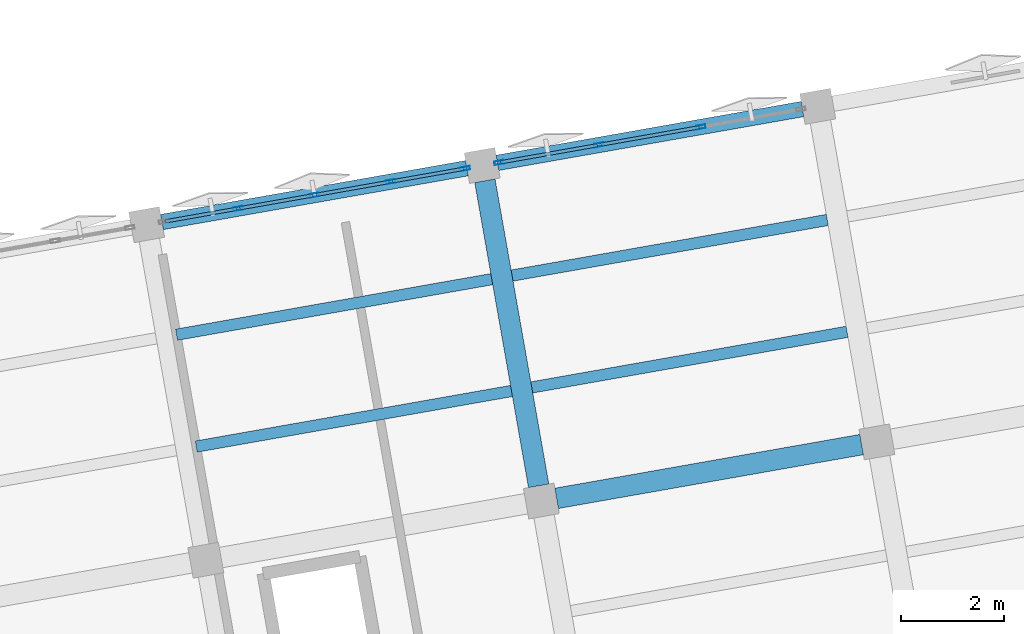
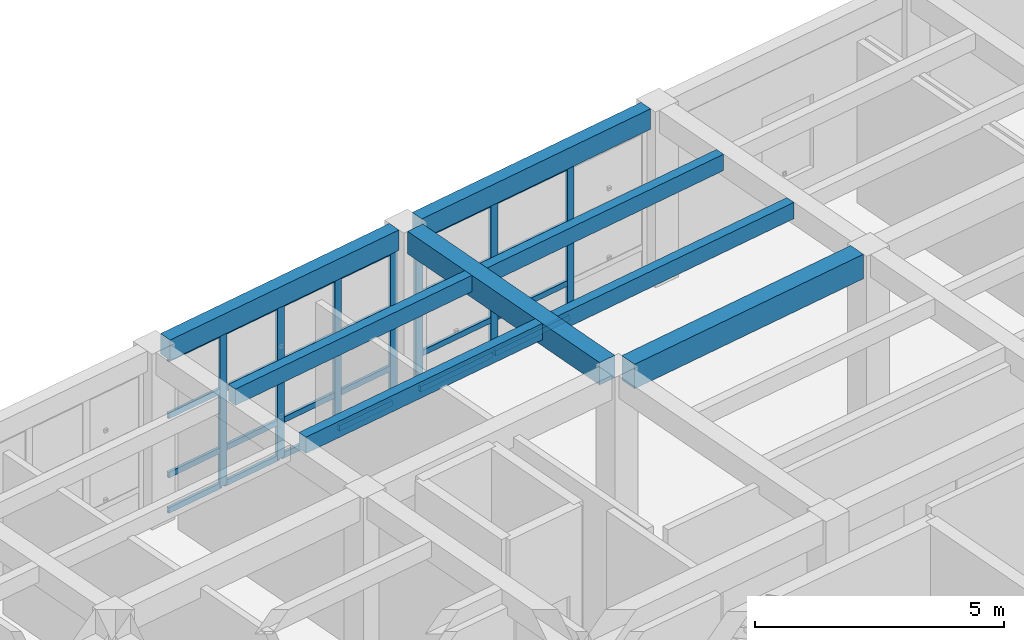
# One storey, part 7 of 29: 31 members, 8 beams, 2 elements without a shape of their own.
"""IFC4 building model written with IfcOpenShell, lengths in metres."""

from ifc_helpers import new_model, si_unit, direction, frame, origin, origin_2d, place, context, subcontext, project, spatial, rectangle, hollow_rectangle, extrude, material, layer, layer_set, material_profile, profile_set, type_object, element, aggregate, save


model = new_model("IFC4")

# Units and contexts
model_context = context("Model", 3, precision=1e-05, world=origin(), true_north=direction((0.0, 1.0)))
body_context = subcontext(model_context, "Body", "Model", "MODEL_VIEW")
ifc_project = project(units=[si_unit("LENGTHUNIT", "METRE"), si_unit("AREAUNIT", "SQUARE_METRE"), si_unit("VOLUMEUNIT", "CUBIC_METRE"), si_unit("PLANEANGLEUNIT", "RADIAN"), si_unit("MASSUNIT", "GRAM", prefix="KILO")], contexts=[model_context])

# Site, building, storey
site_placement = place(None, origin())
site = spatial("IfcSite", under=ifc_project, at=site_placement, CompositionType="ELEMENT")
building_placement = place(site_placement, origin())
building = spatial("IfcBuilding", under=site, at=building_placement, Name="Kharisveld Research Institute", CompositionType="ELEMENT")
storey_placement = place(building_placement, frame((0.0, 0.0, 32.10009765625)))
storey = spatial("IfcBuildingStorey", under=building, at=storey_placement, Name="L07", CompositionType="ELEMENT", Elevation=32.10009765625)

# Beams
ifc_material_1 = material(Name="Concrete C40/50", Category="concrete")
ifc_material_profile_1 = material_profile(ifc_material_1, rectangle(XDim=0.39990234375, YDim=0.550048828125, at=origin_2d()))
ifc_profile_set_1 = profile_set([ifc_material_profile_1], Name="Concrete C40/50")
beam_type_1 = type_object("IfcBeamType", Name="BM_RC_400x550", PredefinedType="BEAM", material=ifc_profile_set_1)
beam_1_placement = place(storey_placement, frame((22.35498046875, 51.7431640625, 4.034912109375), z_axis=(-0.173662308598, 0.984805261243, 0.0), x_axis=(-0.984805261243, -0.173662308598, 0.0)))
element("IfcBeam", 1, at=beam_1_placement, inside=storey, type_object=beam_type_1, Name="BM:V1:L07:V3_2", PredefinedType="BEAM", context=body_context, shape_type="SweptSolid", body=[
    extrude(rectangle(XDim=0.39990234375, YDim=0.550048828125, at=origin_2d()), origin(), (0.0, 0.0, 1.0), 6.0),
])
ifc_material_2 = material(Name="Concrete C40/50", Category="concrete")
ifc_material_profile_2 = material_profile(ifc_material_2, rectangle(XDim=0.39990234375, YDim=0.60009765625, at=origin_2d()))
ifc_profile_set_2 = profile_set([ifc_material_profile_2], Name="Concrete C40/50")
beam_type_2 = type_object("IfcBeamType", Name="BM_RC_400x600", PredefinedType="BEAM", material=ifc_profile_set_2)
beam_2_placement = place(storey_placement, frame((22.702392578125, 51.499755859375, 4.010009765625), z_axis=(0.984805261243, 0.173662308598, 0.0), x_axis=(-0.173662308598, 0.984805261243, 0.0)))
element("IfcBeam", 2, at=beam_2_placement, inside=storey, type_object=beam_type_2, Name="BM:V1:L07:U3_2", PredefinedType="BEAM", context=body_context, shape_type="SweptSolid", body=[
    extrude(rectangle(XDim=0.39990234375, YDim=0.60009765625, at=origin_2d()), origin(), (0.0, 0.0, 1.0), 6.0),
])

# Curtain wall, members
ifc_material_3 = material(Name="Thermally Broken Aluminium Curtain Wall", Category="aluminium")
ifc_layer_1 = layer(ifc_material_3, 0.159912109375)
ifc_layer_set_1 = layer_set([ifc_layer_1], Name="CW_SYS_04")
curtain_wall_type_1 = type_object("IfcCurtainWallType", Name="CW_SYS_04", PredefinedType="NOTDEFINED", material=ifc_layer_set_1)
curtain_wall_1_placement = place(storey_placement, origin())
curtain_wall_1 = element("IfcCurtainWall", 3, at=curtain_wall_1_placement, inside=storey, type_object=curtain_wall_type_1, Name="CW:V1:L07:N2", PredefinedType="NOTDEFINED")
ifc_material_4 = material(Name="Anodised Aluminium AW-6063-T6", Category="aluminium")
ifc_material_profile_3 = material_profile(ifc_material_4, hollow_rectangle(XDim=0.070068359375, YDim=0.179931640625, WallThickness=0.00439453125, at=origin_2d()))
ifc_profile_set_3 = profile_set([ifc_material_profile_3], Name="Anodised Aluminium AW-6063-T6")
member_type_1 = type_object("IfcMemberType", Name="CW_MUL_180", PredefinedType="MULLION", material=ifc_profile_set_3)
member_1_placement = place(storey_placement, frame((16.531494140625, 57.113525390625, 0.0), z_axis=(0.0, 0.0, 1.0), x_axis=(-0.173648210685, 0.98480774719, 0.0)))
member_1 = element("IfcMember", 4, at=member_1_placement, type_object=member_type_1, Name="CW-04 mullion 2", PredefinedType="MULLION", context=body_context, shape_type="SweptSolid", body=[
    extrude(hollow_rectangle(XDim=0.070068359375, YDim=0.179931640625, WallThickness=0.00439453125, at=origin_2d()), origin(), (0.0, 0.0, 1.0), 3.77978515625),
])
member_2_placement = place(storey_placement, frame((18.010986328125, 57.374267578125, 0.0), z_axis=(0.0, 0.0, 1.0), x_axis=(-0.173648210685, 0.98480774719, 0.0)))
member_2 = element("IfcMember", 5, at=member_2_placement, type_object=member_type_1, Name="CW-04 mullion 3", PredefinedType="MULLION", context=body_context, shape_type="SweptSolid", body=[
    extrude(hollow_rectangle(XDim=0.070068359375, YDim=0.179931640625, WallThickness=0.00439453125, at=origin_2d()), origin(), (0.0, 0.0, 1.0), 3.77978515625),
])
member_3_placement = place(storey_placement, frame((19.49072265625, 57.63525390625, 0.0), z_axis=(0.0, 0.0, 1.0), x_axis=(-0.173648210685, 0.98480774719, 0.0)))
member_3 = element("IfcMember", 6, at=member_3_placement, type_object=member_type_1, Name="CW-04 mullion 4", PredefinedType="MULLION", context=body_context, shape_type="SweptSolid", body=[
    extrude(hollow_rectangle(XDim=0.070068359375, YDim=0.179931640625, WallThickness=0.00439453125, at=origin_2d()), origin(), (0.0, 0.0, 1.0), 3.77978515625),
])
member_4_placement = place(storey_placement, frame((20.93603515625, 57.89013671875, 0.0), z_axis=(0.0, 0.0, 1.0), x_axis=(-0.173648210685, 0.98480774719, 0.0)))
member_4 = element("IfcMember", 7, at=member_4_placement, type_object=member_type_1, Name="CW-04 mullion 5", PredefinedType="MULLION", context=body_context, shape_type="SweptSolid", body=[
    extrude(hollow_rectangle(XDim=0.070068359375, YDim=0.179931640625, WallThickness=0.00439453125, at=origin_2d()), origin(), (0.0, 0.0, 1.0), 3.77978515625),
])

ifc_material_5 = material(Name="Thermally Broken Aluminium Curtain Wall", Category="aluminium")
ifc_layer_2 = layer(ifc_material_5, 0.159912109375)
ifc_layer_set_2 = layer_set([ifc_layer_2], Name="CW_SYS_05")
curtain_wall_type_2 = type_object("IfcCurtainWallType", Name="CW_SYS_05", PredefinedType="NOTDEFINED", material=ifc_layer_set_2)
curtain_wall_2_placement = place(storey_placement, origin())
curtain_wall_2 = element("IfcCurtainWall", 8, at=curtain_wall_2_placement, inside=storey, type_object=curtain_wall_type_2, Name="CW:V1:L07:N3", PredefinedType="NOTDEFINED")
member_5_placement = place(storey_placement, frame((21.5859375, 58.004638671875, 0.0), z_axis=(0.0, 0.0, 1.0), x_axis=(-0.173648239132, 0.984807742174, 0.0)))
member_5 = element("IfcMember", 9, at=member_5_placement, type_object=member_type_1, Name="CW-05 mullion 1", PredefinedType="MULLION", context=body_context, shape_type="SweptSolid", body=[
    extrude(hollow_rectangle(XDim=0.070068359375, YDim=0.179931640625, WallThickness=0.00439453125, at=origin_2d()), origin(), (0.0, 0.0, 1.0), 3.77978515625),
])
member_6_placement = place(storey_placement, frame((23.5244140625, 58.346435546875, 0.0), z_axis=(0.0, 0.0, 1.0), x_axis=(-0.173648239132, 0.984807742174, 0.0)))
member_6 = element("IfcMember", 10, at=member_6_placement, type_object=member_type_1, Name="CW-05 mullion 2", PredefinedType="MULLION", context=body_context, shape_type="SweptSolid", body=[
    extrude(hollow_rectangle(XDim=0.070068359375, YDim=0.179931640625, WallThickness=0.00439453125, at=origin_2d()), origin(), (0.0, 0.0, 1.0), 3.77978515625),
])
member_7_placement = place(storey_placement, frame((25.497314453125, 58.6943359375, 0.0), z_axis=(0.0, 0.0, 1.0), x_axis=(-0.173648239132, 0.984807742174, 0.0)))
member_7 = element("IfcMember", 11, at=member_7_placement, type_object=member_type_1, Name="CW-05 mullion 3", PredefinedType="MULLION", context=body_context, shape_type="SweptSolid", body=[
    extrude(hollow_rectangle(XDim=0.070068359375, YDim=0.179931640625, WallThickness=0.00439453125, at=origin_2d()), origin(), (0.0, 0.0, 1.0), 3.77978515625),
])

# Member
ifc_material_6 = material(Name="Anodised Aluminium AW-6063-T6", Category="aluminium")
ifc_material_profile_4 = material_profile(ifc_material_6, hollow_rectangle(XDim=0.06494140625, YDim=0.139892578125, WallThickness=0.00390625, at=origin_2d()))
ifc_profile_set_4 = profile_set([ifc_material_profile_4], Name="Anodised Aluminium AW-6063-T6")
member_type_2 = type_object("IfcMemberType", Name="CW_TRN_140", PredefinedType="USERDEFINED", material=ifc_profile_set_4)
member_8_placement = place(storey_placement, frame((15.12060546875, 56.86474609375, 0.032470703125), z_axis=(0.984811681312, 0.173625897698, 0.0), x_axis=(-0.173625897698, 0.984811681312, 0.0)))
member_8 = element("IfcMember", 12, at=member_8_placement, type_object=member_type_2, Name="CW-04 transom 1.1", ObjectType="TRANSOM", PredefinedType="USERDEFINED", context=body_context, shape_type="SweptSolid", body=[
    extrude(hollow_rectangle(XDim=0.06494140625, YDim=0.139892578125, WallThickness=0.00390625, at=origin_2d()), origin(), (0.0, 0.0, 1.0), 1.397705078125),
])

member_9_placement = place(storey_placement, frame((15.12060546875, 56.86474609375, 0.89990234375), z_axis=(0.984811681312, 0.173625897698, 0.0), x_axis=(-0.173625897698, 0.984811681312, 0.0)))
member_9 = element("IfcMember", 13, at=member_9_placement, type_object=member_type_2, Name="CW-04 transom 1.2", ObjectType="TRANSOM", PredefinedType="USERDEFINED", context=body_context, shape_type="SweptSolid", body=[
    extrude(hollow_rectangle(XDim=0.06494140625, YDim=0.139892578125, WallThickness=0.00390625, at=origin_2d()), origin(), (0.0, 0.0, 1.0), 1.397705078125),
])

member_10_placement = place(storey_placement, frame((15.12060546875, 56.86474609375, 2.349853515625), z_axis=(0.984811681312, 0.173625897698, 0.0), x_axis=(-0.173625897698, 0.984811681312, 0.0)))
member_10 = element("IfcMember", 14, at=member_10_placement, type_object=member_type_2, Name="CW-04 transom 1.3", ObjectType="TRANSOM", PredefinedType="USERDEFINED", context=body_context, shape_type="SweptSolid", body=[
    extrude(hollow_rectangle(XDim=0.06494140625, YDim=0.139892578125, WallThickness=0.00390625, at=origin_2d()), origin(), (0.0, 0.0, 1.0), 1.397705078125),
])

member_11_placement = place(storey_placement, frame((15.12060546875, 56.86474609375, 3.747314453125), z_axis=(0.984811681312, 0.173625897698, 0.0), x_axis=(-0.173625897698, 0.984811681312, 0.0)))
member_11 = element("IfcMember", 15, at=member_11_placement, type_object=member_type_2, Name="CW-04 transom 1.4", ObjectType="TRANSOM", PredefinedType="USERDEFINED", context=body_context, shape_type="SweptSolid", body=[
    extrude(hollow_rectangle(XDim=0.06494140625, YDim=0.139892578125, WallThickness=0.00390625, at=origin_2d()), origin(), (0.0, 0.0, 1.0), 1.397705078125),
])

member_12_placement = place(storey_placement, frame((16.56591796875, 57.11962890625, 0.032470703125), z_axis=(0.98480242724, 0.173678378913, 0.0), x_axis=(-0.173678378913, 0.98480242724, 0.0)))
member_12 = element("IfcMember", 16, at=member_12_placement, type_object=member_type_2, Name="CW-04 transom 2.1", ObjectType="TRANSOM", PredefinedType="USERDEFINED", context=body_context, shape_type="SweptSolid", body=[
    extrude(hollow_rectangle(XDim=0.06494140625, YDim=0.139892578125, WallThickness=0.00390625, at=origin_2d()), origin(), (0.0, 0.0, 1.0), 1.432373046875),
])

member_13_placement = place(storey_placement, frame((16.56591796875, 57.11962890625, 0.89990234375), z_axis=(0.98480242724, 0.173678378913, 0.0), x_axis=(-0.173678378913, 0.98480242724, 0.0)))
member_13 = element("IfcMember", 17, at=member_13_placement, type_object=member_type_2, Name="CW-04 transom 2.2", ObjectType="TRANSOM", PredefinedType="USERDEFINED", context=body_context, shape_type="SweptSolid", body=[
    extrude(hollow_rectangle(XDim=0.06494140625, YDim=0.139892578125, WallThickness=0.00390625, at=origin_2d()), origin(), (0.0, 0.0, 1.0), 1.432373046875),
])

member_14_placement = place(storey_placement, frame((16.56591796875, 57.11962890625, 2.349853515625), z_axis=(0.98480242724, 0.173678378913, 0.0), x_axis=(-0.173678378913, 0.98480242724, 0.0)))
member_14 = element("IfcMember", 18, at=member_14_placement, type_object=member_type_2, Name="CW-04 transom 2.3", ObjectType="TRANSOM", PredefinedType="USERDEFINED", context=body_context, shape_type="SweptSolid", body=[
    extrude(hollow_rectangle(XDim=0.06494140625, YDim=0.139892578125, WallThickness=0.00390625, at=origin_2d()), origin(), (0.0, 0.0, 1.0), 1.432373046875),
])

member_15_placement = place(storey_placement, frame((16.56591796875, 57.11962890625, 3.747314453125), z_axis=(0.98480242724, 0.173678378913, 0.0), x_axis=(-0.173678378913, 0.98480242724, 0.0)))
member_15 = element("IfcMember", 19, at=member_15_placement, type_object=member_type_2, Name="CW-04 transom 2.4", ObjectType="TRANSOM", PredefinedType="USERDEFINED", context=body_context, shape_type="SweptSolid", body=[
    extrude(hollow_rectangle(XDim=0.06494140625, YDim=0.139892578125, WallThickness=0.00390625, at=origin_2d()), origin(), (0.0, 0.0, 1.0), 1.432373046875),
])

member_16_placement = place(storey_placement, frame((18.045654296875, 57.38037109375, 0.032470703125), z_axis=(0.98480242724, 0.173678378913, 0.0), x_axis=(-0.173678378913, 0.98480242724, 0.0)))
member_16 = element("IfcMember", 20, at=member_16_placement, type_object=member_type_2, Name="CW-04 transom 3.1", ObjectType="TRANSOM", PredefinedType="USERDEFINED", context=body_context, shape_type="SweptSolid", body=[
    extrude(hollow_rectangle(XDim=0.06494140625, YDim=0.139892578125, WallThickness=0.00390625, at=origin_2d()), origin(), (0.0, 0.0, 1.0), 1.432373046875),
])

member_17_placement = place(storey_placement, frame((18.045654296875, 57.38037109375, 0.89990234375), z_axis=(0.98480242724, 0.173678378913, 0.0), x_axis=(-0.173678378913, 0.98480242724, 0.0)))
member_17 = element("IfcMember", 21, at=member_17_placement, type_object=member_type_2, Name="CW-04 transom 3.2", ObjectType="TRANSOM", PredefinedType="USERDEFINED", context=body_context, shape_type="SweptSolid", body=[
    extrude(hollow_rectangle(XDim=0.06494140625, YDim=0.139892578125, WallThickness=0.00390625, at=origin_2d()), origin(), (0.0, 0.0, 1.0), 1.432373046875),
])

member_18_placement = place(storey_placement, frame((18.045654296875, 57.38037109375, 2.349853515625), z_axis=(0.98480242724, 0.173678378913, 0.0), x_axis=(-0.173678378913, 0.98480242724, 0.0)))
member_18 = element("IfcMember", 22, at=member_18_placement, type_object=member_type_2, Name="CW-04 transom 3.3", ObjectType="TRANSOM", PredefinedType="USERDEFINED", context=body_context, shape_type="SweptSolid", body=[
    extrude(hollow_rectangle(XDim=0.06494140625, YDim=0.139892578125, WallThickness=0.00390625, at=origin_2d()), origin(), (0.0, 0.0, 1.0), 1.432373046875),
])

member_19_placement = place(storey_placement, frame((18.045654296875, 57.38037109375, 3.747314453125), z_axis=(0.98480242724, 0.173678378913, 0.0), x_axis=(-0.173678378913, 0.98480242724, 0.0)))
member_19 = element("IfcMember", 23, at=member_19_placement, type_object=member_type_2, Name="CW-04 transom 3.4", ObjectType="TRANSOM", PredefinedType="USERDEFINED", context=body_context, shape_type="SweptSolid", body=[
    extrude(hollow_rectangle(XDim=0.06494140625, YDim=0.139892578125, WallThickness=0.00390625, at=origin_2d()), origin(), (0.0, 0.0, 1.0), 1.432373046875),
])

member_20_placement = place(storey_placement, frame((19.525146484375, 57.641357421875, 0.032470703125), z_axis=(0.984811681312, 0.173625897698, 0.0), x_axis=(-0.173625897698, 0.984811681312, 0.0)))
member_20 = element("IfcMember", 24, at=member_20_placement, type_object=member_type_2, Name="CW-04 transom 4.1", ObjectType="TRANSOM", PredefinedType="USERDEFINED", context=body_context, shape_type="SweptSolid", body=[
    extrude(hollow_rectangle(XDim=0.06494140625, YDim=0.139892578125, WallThickness=0.00390625, at=origin_2d()), origin(), (0.0, 0.0, 1.0), 1.397705078125),
])

member_21_placement = place(storey_placement, frame((19.525146484375, 57.641357421875, 0.89990234375), z_axis=(0.984811681312, 0.173625897698, 0.0), x_axis=(-0.173625897698, 0.984811681312, 0.0)))
member_21 = element("IfcMember", 25, at=member_21_placement, type_object=member_type_2, Name="CW-04 transom 4.2", ObjectType="TRANSOM", PredefinedType="USERDEFINED", context=body_context, shape_type="SweptSolid", body=[
    extrude(hollow_rectangle(XDim=0.06494140625, YDim=0.139892578125, WallThickness=0.00390625, at=origin_2d()), origin(), (0.0, 0.0, 1.0), 1.397705078125),
])

member_22_placement = place(storey_placement, frame((19.525146484375, 57.641357421875, 2.349853515625), z_axis=(0.984811681312, 0.173625897698, 0.0), x_axis=(-0.173625897698, 0.984811681312, 0.0)))
member_22 = element("IfcMember", 26, at=member_22_placement, type_object=member_type_2, Name="CW-04 transom 4.3", ObjectType="TRANSOM", PredefinedType="USERDEFINED", context=body_context, shape_type="SweptSolid", body=[
    extrude(hollow_rectangle(XDim=0.06494140625, YDim=0.139892578125, WallThickness=0.00390625, at=origin_2d()), origin(), (0.0, 0.0, 1.0), 1.397705078125),
])

member_23_placement = place(storey_placement, frame((19.525146484375, 57.641357421875, 3.747314453125), z_axis=(0.984811681312, 0.173625897698, 0.0), x_axis=(-0.173625897698, 0.984811681312, 0.0)))
member_23 = element("IfcMember", 27, at=member_23_placement, type_object=member_type_2, Name="CW-04 transom 4.4", ObjectType="TRANSOM", PredefinedType="USERDEFINED", context=body_context, shape_type="SweptSolid", body=[
    extrude(hollow_rectangle(XDim=0.06494140625, YDim=0.139892578125, WallThickness=0.00390625, at=origin_2d()), origin(), (0.0, 0.0, 1.0), 1.397705078125),
])

aggregate(curtain_wall_1, [member_1, member_2, member_3, member_4, member_8, member_9, member_10, member_11, member_12, member_13, member_14, member_15, member_16, member_17, member_18, member_19, member_20, member_21, member_22, member_23])

member_24_placement = place(storey_placement, frame((21.620361328125, 58.0107421875, 0.032470703125), z_axis=(0.984814614087, 0.173609262081, 0.0), x_axis=(-0.173609262081, 0.984814614087, 0.0)))
member_24 = element("IfcMember", 28, at=member_24_placement, type_object=member_type_2, Name="CW-05 transom 1.1", ObjectType="TRANSOM", PredefinedType="USERDEFINED", context=body_context, shape_type="SweptSolid", body=[
    extrude(hollow_rectangle(XDim=0.06494140625, YDim=0.139892578125, WallThickness=0.00390625, at=origin_2d()), origin(), (0.0, 0.0, 1.0), 1.8984375),
])

member_25_placement = place(storey_placement, frame((21.620361328125, 58.0107421875, 0.89990234375), z_axis=(0.984814614087, 0.173609262081, 0.0), x_axis=(-0.173609262081, 0.984814614087, 0.0)))
member_25 = element("IfcMember", 29, at=member_25_placement, type_object=member_type_2, Name="CW-05 transom 1.2", ObjectType="TRANSOM", PredefinedType="USERDEFINED", context=body_context, shape_type="SweptSolid", body=[
    extrude(hollow_rectangle(XDim=0.06494140625, YDim=0.139892578125, WallThickness=0.00390625, at=origin_2d()), origin(), (0.0, 0.0, 1.0), 1.8984375),
])

member_26_placement = place(storey_placement, frame((21.620361328125, 58.0107421875, 2.349853515625), z_axis=(0.984814614087, 0.173609262081, 0.0), x_axis=(-0.173609262081, 0.984814614087, 0.0)))
member_26 = element("IfcMember", 30, at=member_26_placement, type_object=member_type_2, Name="CW-05 transom 1.3", ObjectType="TRANSOM", PredefinedType="USERDEFINED", context=body_context, shape_type="SweptSolid", body=[
    extrude(hollow_rectangle(XDim=0.06494140625, YDim=0.139892578125, WallThickness=0.00390625, at=origin_2d()), origin(), (0.0, 0.0, 1.0), 1.8984375),
])

member_27_placement = place(storey_placement, frame((21.620361328125, 58.0107421875, 3.747314453125), z_axis=(0.984814614087, 0.173609262081, 0.0), x_axis=(-0.173609262081, 0.984814614087, 0.0)))
member_27 = element("IfcMember", 31, at=member_27_placement, type_object=member_type_2, Name="CW-05 transom 1.4", ObjectType="TRANSOM", PredefinedType="USERDEFINED", context=body_context, shape_type="SweptSolid", body=[
    extrude(hollow_rectangle(XDim=0.06494140625, YDim=0.139892578125, WallThickness=0.00390625, at=origin_2d()), origin(), (0.0, 0.0, 1.0), 1.8984375),
])

member_28_placement = place(storey_placement, frame((23.558837890625, 58.3525390625, 0.032470703125), z_axis=(0.984811512808, 0.173626853457, 0.0), x_axis=(-0.173626853457, 0.984811512808, 0.0)))
member_28 = element("IfcMember", 32, at=member_28_placement, type_object=member_type_2, Name="CW-05 transom 2.1", ObjectType="TRANSOM", PredefinedType="USERDEFINED", context=body_context, shape_type="SweptSolid", body=[
    extrude(hollow_rectangle(XDim=0.06494140625, YDim=0.139892578125, WallThickness=0.00390625, at=origin_2d()), origin(), (0.0, 0.0, 1.0), 1.933349609375),
])

member_29_placement = place(storey_placement, frame((23.558837890625, 58.3525390625, 0.89990234375), z_axis=(0.984811512808, 0.173626853457, 0.0), x_axis=(-0.173626853457, 0.984811512808, 0.0)))
member_29 = element("IfcMember", 33, at=member_29_placement, type_object=member_type_2, Name="CW-05 transom 2.2", ObjectType="TRANSOM", PredefinedType="USERDEFINED", context=body_context, shape_type="SweptSolid", body=[
    extrude(hollow_rectangle(XDim=0.06494140625, YDim=0.139892578125, WallThickness=0.00390625, at=origin_2d()), origin(), (0.0, 0.0, 1.0), 1.933349609375),
])

member_30_placement = place(storey_placement, frame((23.558837890625, 58.3525390625, 2.349853515625), z_axis=(0.984811512808, 0.173626853457, 0.0), x_axis=(-0.173626853457, 0.984811512808, 0.0)))
member_30 = element("IfcMember", 34, at=member_30_placement, type_object=member_type_2, Name="CW-05 transom 2.3", ObjectType="TRANSOM", PredefinedType="USERDEFINED", context=body_context, shape_type="SweptSolid", body=[
    extrude(hollow_rectangle(XDim=0.06494140625, YDim=0.139892578125, WallThickness=0.00390625, at=origin_2d()), origin(), (0.0, 0.0, 1.0), 1.933349609375),
])

member_31_placement = place(storey_placement, frame((23.558837890625, 58.3525390625, 3.747314453125), z_axis=(0.984811512808, 0.173626853457, 0.0), x_axis=(-0.173626853457, 0.984811512808, 0.0)))
member_31 = element("IfcMember", 35, at=member_31_placement, type_object=member_type_2, Name="CW-05 transom 2.4", ObjectType="TRANSOM", PredefinedType="USERDEFINED", context=body_context, shape_type="SweptSolid", body=[
    extrude(hollow_rectangle(XDim=0.06494140625, YDim=0.139892578125, WallThickness=0.00390625, at=origin_2d()), origin(), (0.0, 0.0, 1.0), 1.933349609375),
])

aggregate(curtain_wall_2, [member_5, member_6, member_7, member_24, member_25, member_26, member_27, member_28, member_29, member_30, member_31])

# Beams
ifc_material_7 = material(Name="Concrete C40/50", Category="concrete")
ifc_material_profile_5 = material_profile(ifc_material_7, rectangle(XDim=0.300048828125, YDim=0.5, at=origin_2d()))
ifc_profile_set_5 = profile_set([ifc_material_profile_5], Name="Concrete C40/50")
beam_type_3 = type_object("IfcBeamType", Name="SP_RC_300x500", PredefinedType="SPANDREL", material=ifc_profile_set_5)
for number, where, z_axis, x_axis, name in (
    (36, (15.056640625, 56.853515625, 4.059814453125), (0.984812219346, 0.173622845926, 0.0), (-0.173622845926, 0.984812219346, 0.0), "BM:V1:L07:U2_3"),
    (37, (21.556396484375, 57.99951171875, 4.059814453125), (0.984805261243, 0.173662308598, 0.0), (-0.173662308598, 0.984805261243, 0.0), "BM:V1:L07:U3_3"),
):
    element("IfcBeam", number, at=place(storey_placement, frame(where, z_axis=z_axis, x_axis=x_axis)), inside=storey, type_object=beam_type_3, Name=name, PredefinedType="SPANDREL", context=body_context, shape_type="SweptSolid", body=[
        extrude(rectangle(XDim=0.300048828125, YDim=0.5, at=origin_2d()), origin(), (0.0, 0.0, 1.0), 6.0),
    ])
ifc_material_8 = material(Name="Concrete C40/50", Category="concrete")
ifc_material_profile_6 = material_profile(ifc_material_8, rectangle(XDim=0.219970703125, YDim=0.39990234375, at=origin_2d()))
ifc_profile_set_6 = profile_set([ifc_material_profile_6], Name="Concrete C40/50")
beam_type_4 = type_object("IfcBeamType", Name="WB_RC_220x400", PredefinedType="JOIST", material=ifc_profile_set_6)
beam_3_placement = place(storey_placement, frame((15.72216796875, 52.5029296875, 4.10986328125), z_axis=(0.984807334084, 0.173650553511, 0.0), x_axis=(-0.173650553511, 0.984807334084, 0.0)))
element("IfcBeam", 38, at=beam_3_placement, inside=storey, type_object=beam_type_4, Name="BM:V1:L07:J_2_2_R1", PredefinedType="JOIST", context=body_context, shape_type="SweptSolid", body=[
    extrude(rectangle(XDim=0.219970703125, YDim=0.39990234375, at=origin_2d()), origin(), (0.0, 0.0, 1.0), 6.2001953125),
])
beam_4_placement = place(storey_placement, frame((15.34033203125, 54.66943359375, 4.10986328125), z_axis=(0.984806146634, 0.173657287643, 0.0), x_axis=(-0.173657287643, 0.984806146634, 0.0)))
element("IfcBeam", 39, at=beam_4_placement, inside=storey, type_object=beam_type_4, Name="BM:V1:L07:J_2_2_R2", PredefinedType="JOIST", context=body_context, shape_type="SweptSolid", body=[
    extrude(rectangle(XDim=0.219970703125, YDim=0.39990234375, at=origin_2d()), origin(), (0.0, 0.0, 1.0), 6.199951171875),
])
for number, where, z_axis, x_axis, name in (
    (40, (22.221923828125, 53.64892578125, 4.10986328125), (0.984807334084, 0.173650553511, 0.0), (-0.173650553511, 0.984807334084, 0.0), "BM:V1:L07:J_3_2_R1"),
    (41, (21.83984375, 55.815673828125, 4.10986328125), (0.984814067264, 0.173612363957, 0.0), (-0.173612363957, 0.984814067264, 0.0), "BM:V1:L07:J_3_2_R2"),
):
    element("IfcBeam", number, at=place(storey_placement, frame(where, z_axis=z_axis, x_axis=x_axis)), inside=storey, type_object=beam_type_4, Name=name, PredefinedType="JOIST", context=body_context, shape_type="SweptSolid", body=[
        extrude(rectangle(XDim=0.219970703125, YDim=0.39990234375, at=origin_2d()), origin(), (0.0, 0.0, 1.0), 6.2001953125),
    ])

save(model, "model.ifc")
